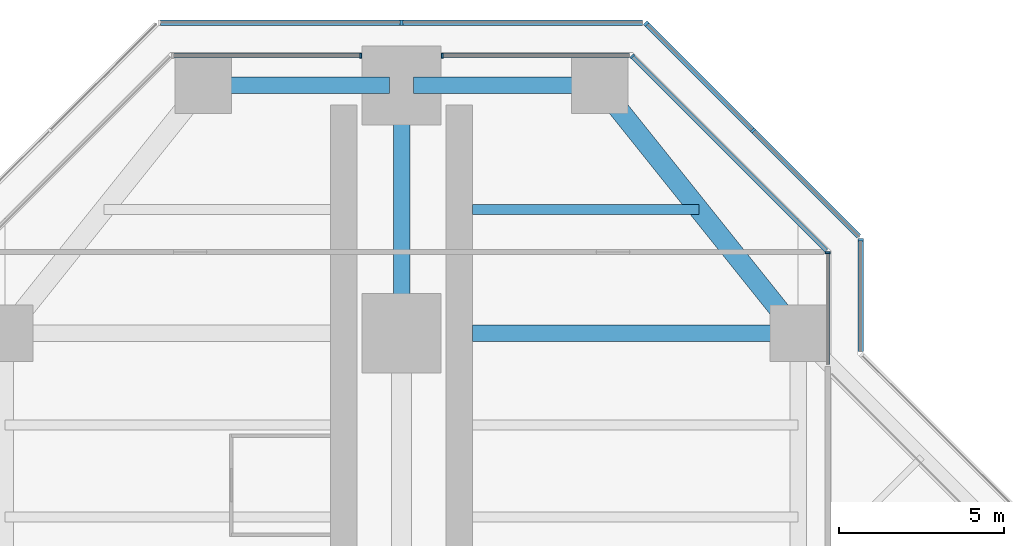
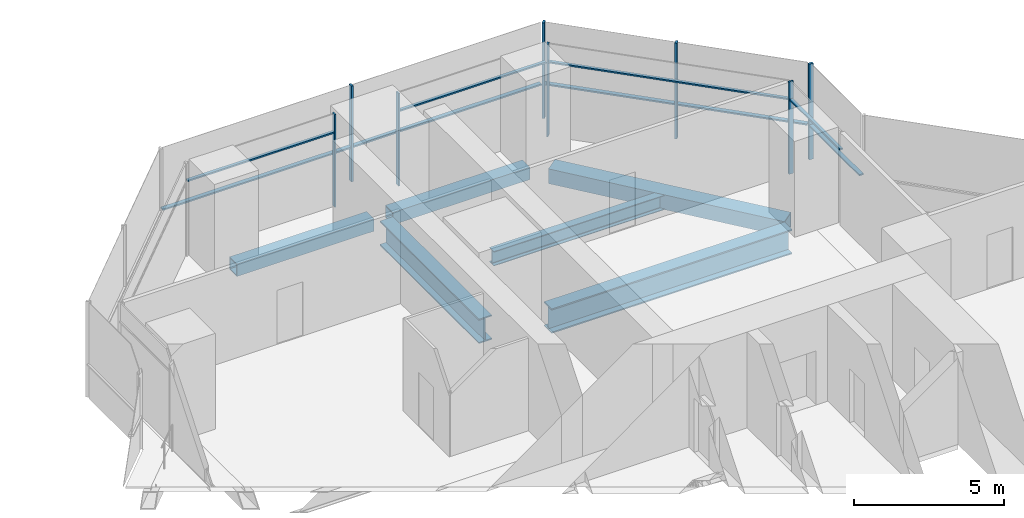
# One storey, part 10 of 19: 17 members, 6 beams, 7 elements without a shape of their own.
"""IFC4 building model written with IfcOpenShell, lengths in metres."""

from ifc_helpers import new_model, si_unit, direction, frame, origin, origin_2d, place, context, subcontext, project, spatial, rectangle, hollow_rectangle, i_section, extrude, material, material_profile, profile_set, type_object, element, aggregate, save


model = new_model("IFC4")

# Units and contexts
model_context = context("Model", 3, precision=1e-05, world=origin(), true_north=direction((0.0, 1.0)))
body_context = subcontext(model_context, "Body", "Model", "MODEL_VIEW")
ifc_project = project(units=[si_unit("LENGTHUNIT", "METRE"), si_unit("AREAUNIT", "SQUARE_METRE"), si_unit("VOLUMEUNIT", "CUBIC_METRE"), si_unit("PLANEANGLEUNIT", "RADIAN"), si_unit("MASSUNIT", "GRAM", prefix="KILO")], contexts=[model_context])

# Site, building, storey
site_placement = place(None, origin())
site = spatial("IfcSite", under=ifc_project, at=site_placement, CompositionType="ELEMENT")
building_placement = place(site_placement, origin())
building = spatial("IfcBuilding", under=site, at=building_placement, Name="Mizan Broadcast Tower", CompositionType="ELEMENT")
storey_placement = place(building_placement, frame((0.0, 0.0, 163.199951171875)))
storey = spatial("IfcBuildingStorey", under=building, at=storey_placement, Name="L37", CompositionType="ELEMENT", Elevation=163.199951171875)

# Beams
ifc_material_1 = material(Name="Steel S355", Category="steel")
ifc_material_profile_1 = material_profile(ifc_material_1, hollow_rectangle(XDim=0.5, YDim=0.5, WallThickness=0.030029296875, at=origin_2d()), Name="BOX 500x500x30")
ifc_profile_set_1 = profile_set([ifc_material_profile_1], Name="Steel S355")
beam_type_1 = type_object("IfcBeamType", Name="EDGE BEAM BOX 500x500x30", PredefinedType="SPANDREL", material=ifc_profile_set_1)
for number, where, z_axis, x_axis, name in (
    (1, (5.639892578125, 27.0, -0.3798828125), (-1.0, 0.0, 0.0), (0.0, -1.0, 0.0), "Edge beam BOX 500x500x30 L37 north arm"),
    (2, (-5.639892578125, 27.0, -0.3798828125), (1.0, 0.0, 0.0), (0.0, 1.0, 0.0), "Edge beam BOX 500x500x30 L37 north arm"),
):
    element("IfcBeam", number, at=place(storey_placement, frame(where, z_axis=z_axis, x_axis=x_axis)), inside=storey, type_object=beam_type_1, Name=name, PredefinedType="SPANDREL", context=body_context, shape_type="SweptSolid", body=[
        extrude(hollow_rectangle(XDim=0.5, YDim=0.5, WallThickness=0.030029296875, at=origin_2d()), origin(), (0.0, 0.0, 1.0), 5.27978515625),
    ])
ifc_material_2 = material(Name="Steel S355", Category="steel")
ifc_material_profile_2 = material_profile(ifc_material_2, hollow_rectangle(XDim=0.60009765625, YDim=0.60009765625, WallThickness=0.030029296875, at=origin_2d()), Name="BOX 600x600x30")
ifc_profile_set_2 = profile_set([ifc_material_profile_2], Name="Steel S355")
beam_type_2 = type_object("IfcBeamType", Name="EDGE BEAM BOX 600x600x30", PredefinedType="SPANDREL", material=ifc_profile_set_2)
beam_1_placement = place(storey_placement, frame((11.639892578125, 19.949951171875, -0.429931640625), z_axis=(-0.624673911726, 0.780885717636, 0.0), x_axis=(-0.780885717636, -0.624673911726, 0.0)))
element("IfcBeam", 3, at=beam_1_placement, inside=storey, type_object=beam_type_2, Name="Edge beam BOX 600x600x30 L37 north arm", PredefinedType="SPANDREL", context=body_context, shape_type="SweptSolid", body=[
    extrude(hollow_rectangle(XDim=0.60009765625, YDim=0.60009765625, WallThickness=0.030029296875, at=origin_2d()), origin(), (0.0, 0.0, 1.0), 8.4521484375),
])
ifc_material_3 = material(Name="Steel S460", Category="steel")
ifc_material_profile_3 = material_profile(ifc_material_3, i_section(OverallWidth=0.5, OverallDepth=1.0, WebThickness=0.02490234375, FlangeThickness=0.050048828125, at=origin_2d()), Name="WPG 1000x500")
ifc_profile_set_3 = profile_set([ifc_material_profile_3], Name="Steel S460")
beam_type_3 = type_object("IfcBeamType", Name="GIRDER WPG 1000x500", PredefinedType="BEAM", material=ifc_profile_set_3)
beam_2_placement = place(storey_placement, frame((0.0, 19.949951171875, -0.6298828125), z_axis=(0.0, 1.0, 0.0), x_axis=(-1.0, 0.0, 0.0)))
element("IfcBeam", 4, at=beam_2_placement, inside=storey, type_object=beam_type_3, Name="Girder WPG 1000x500 L37 north arm", PredefinedType="BEAM", context=body_context, shape_type="SweptSolid", body=[
    extrude(i_section(OverallWidth=0.5, OverallDepth=1.0, WebThickness=0.02490234375, FlangeThickness=0.050048828125, at=origin_2d()), origin(), (0.0, 0.0, 1.0), 6.60009765625),
])
beam_3_placement = place(storey_placement, frame((11.408935546875, 19.5, -0.6298828125), z_axis=(-1.0, 0.0, 0.0), x_axis=(0.0, -1.0, 0.0)))
element("IfcBeam", 5, at=beam_3_placement, inside=storey, type_object=beam_type_3, Name="Girder WPG 1000x500 L37 north arm", PredefinedType="BEAM", context=body_context, shape_type="SweptSolid", body=[
    extrude(i_section(OverallWidth=0.5, OverallDepth=1.0, WebThickness=0.02490234375, FlangeThickness=0.050048828125, at=origin_2d()), origin(), (0.0, 0.0, 1.0), 9.259033203125),
])

# Curtain wall, member
ifc_material_4 = material(Name="Aluminium framed glazing", Category="aluminium")
curtain_wall_type_1 = type_object("IfcCurtainWallType", Name="INNER SKIN MID ZONE", PredefinedType="USERDEFINED", material=ifc_material_4)
curtain_wall_1_placement = place(storey_placement, origin())
curtain_wall_1 = element("IfcCurtainWall", 6, at=curtain_wall_1_placement, inside=storey, type_object=curtain_wall_type_1, Name="Inner skin mid zone L37 N side", ObjectType="INNER SKIN MID ZONE", PredefinedType="USERDEFINED")
ifc_material_5 = material(Name="Aluminium, pale anodised", Category="aluminium")
ifc_material_profile_4 = material_profile(ifc_material_5, rectangle(XDim=0.159912109375, YDim=0.06005859375, at=origin_2d()), Name="MULLION 160x60")
ifc_profile_set_4 = profile_set([ifc_material_profile_4], Name="Aluminium, pale anodised")
member_type_1 = type_object("IfcMemberType", Name="INNER SKIN MULLION 60x160", PredefinedType="MULLION", material=ifc_profile_set_4)
member_1_placement = place(storey_placement, frame((12.89990234375, 21.928466796875, 0.0), z_axis=(0.0, 0.0, 1.0), x_axis=(-1.0, 0.0, 0.0)))
member_1 = element("IfcMember", 7, at=member_1_placement, type_object=member_type_1, Name="Inner skin mid zone L37 N side mullion 2", PredefinedType="MULLION", context=body_context, shape_type="SweptSolid", body=[
    extrude(rectangle(XDim=0.159912109375, YDim=0.06005859375, at=origin_2d()), origin(), (0.0, 0.0, 1.0), 3.77001953125),
])

curtain_wall_2_placement = place(storey_placement, origin())
curtain_wall_2 = element("IfcCurtainWall", 8, at=curtain_wall_2_placement, inside=storey, type_object=curtain_wall_type_1, Name="Inner skin mid zone L37 N chamfer", ObjectType="INNER SKIN MID ZONE", PredefinedType="USERDEFINED")
member_2_placement = place(storey_placement, frame((6.979736328125, 27.87890625, 0.0), z_axis=(0.0, 0.0, 1.0), x_axis=(-0.707106781187, -0.707106781187, 0.0)))
member_2 = element("IfcMember", 9, at=member_2_placement, type_object=member_type_1, Name="Inner skin mid zone L37 N chamfer mullion 2", PredefinedType="MULLION", context=body_context, shape_type="SweptSolid", body=[
    extrude(rectangle(XDim=0.159912109375, YDim=0.06005859375, at=origin_2d()), origin(), (0.0, 0.0, 1.0), 3.77001953125),
])

curtain_wall_3_placement = place(storey_placement, origin())
curtain_wall_3 = element("IfcCurtainWall", 10, at=curtain_wall_3_placement, inside=storey, type_object=curtain_wall_type_1, Name="Inner skin mid zone L37 N end", ObjectType="INNER SKIN MID ZONE", PredefinedType="USERDEFINED")
member_3_placement = place(storey_placement, frame((1.22998046875, 27.89990234375, 0.0), z_axis=(0.0, 0.0, 1.0), x_axis=(0.0, -1.0, 0.0)))
member_3 = element("IfcMember", 11, at=member_3_placement, type_object=member_type_1, Name="Inner skin mid zone L37 N end mullion 2", PredefinedType="MULLION", context=body_context, shape_type="SweptSolid", body=[
    extrude(rectangle(XDim=0.159912109375, YDim=0.06005859375, at=origin_2d()), origin(), (0.0, 0.0, 1.0), 3.77001953125),
])

curtain_wall_4_placement = place(storey_placement, origin())
curtain_wall_4 = element("IfcCurtainWall", 12, at=curtain_wall_4_placement, inside=storey, type_object=curtain_wall_type_1, Name="Inner skin mid zone L37 N end", ObjectType="INNER SKIN MID ZONE", PredefinedType="USERDEFINED")
member_4_placement = place(storey_placement, frame((-1.22998046875, 27.89990234375, 0.0), z_axis=(0.0, 0.0, 1.0), x_axis=(0.0, -1.0, 0.0)))
member_4 = element("IfcMember", 13, at=member_4_placement, type_object=member_type_1, Name="Inner skin mid zone L37 N end mullion 1", PredefinedType="MULLION", context=body_context, shape_type="SweptSolid", body=[
    extrude(rectangle(XDim=0.159912109375, YDim=0.06005859375, at=origin_2d()), origin(), (0.0, 0.0, 1.0), 3.77001953125),
])

# Member
ifc_material_6 = material(Name="Aluminium, pale anodised", Category="aluminium")
ifc_material_profile_5 = material_profile(ifc_material_6, rectangle(XDim=0.1201171875, YDim=0.06005859375, at=origin_2d()), Name="TRANSOM 120x60")
ifc_profile_set_5 = profile_set([ifc_material_profile_5], Name="Aluminium, pale anodised")
member_type_2 = type_object("IfcMemberType", Name="INNER SKIN TRANSOM 60x120", PredefinedType="USERDEFINED", material=ifc_profile_set_5)
member_5_placement = place(storey_placement, frame((12.89990234375, 18.56005859375, 3.030029296875), z_axis=(0.0, 1.0, 0.0), x_axis=(-1.0, 0.0, 0.0)))
member_5 = element("IfcMember", 14, at=member_5_placement, type_object=member_type_2, Name="Inner skin mid zone L37 N side transom 1.1", ObjectType="TRANSOM", PredefinedType="USERDEFINED", context=body_context, shape_type="SweptSolid", body=[
    extrude(rectangle(XDim=0.1201171875, YDim=0.06005859375, at=origin_2d()), origin(), (0.0, 0.0, 1.0), 3.338623046875),
])

aggregate(curtain_wall_1, [member_1, member_5])

member_6_placement = place(storey_placement, frame((12.857666015625, 22.0009765625, 3.030029296875), z_axis=(-0.707106781187, 0.707106781187, 0.0), x_axis=(-0.707106781187, -0.707106781187, 0.0)))
member_6 = element("IfcMember", 15, at=member_6_placement, type_object=member_type_2, Name="Inner skin mid zone L37 N chamfer transom 1.1", ObjectType="TRANSOM", PredefinedType="USERDEFINED", context=body_context, shape_type="SweptSolid", body=[
    extrude(rectangle(XDim=0.1201171875, YDim=0.06005859375, at=origin_2d()), origin(), (0.0, 0.0, 1.0), 8.28271484375),
])

aggregate(curtain_wall_2, [member_2, member_6])

member_7_placement = place(storey_placement, frame((6.898681640625, 27.89990234375, 3.030029296875), z_axis=(-1.0, 0.0, 0.0), x_axis=(0.0, -1.0, 0.0)))
member_7 = element("IfcMember", 16, at=member_7_placement, type_object=member_type_2, Name="Inner skin mid zone L37 N end transom 1.1", ObjectType="TRANSOM", PredefinedType="USERDEFINED", context=body_context, shape_type="SweptSolid", body=[
    extrude(rectangle(XDim=0.1201171875, YDim=0.06005859375, at=origin_2d()), origin(), (0.0, 0.0, 1.0), 5.638671875),
])

aggregate(curtain_wall_3, [member_3, member_7])

member_8_placement = place(storey_placement, frame((-1.260009765625, 27.89990234375, 3.030029296875), z_axis=(-1.0, 0.0, 0.0), x_axis=(0.0, -1.0, 0.0)))
member_8 = element("IfcMember", 17, at=member_8_placement, type_object=member_type_2, Name="Inner skin mid zone L37 N end transom 1.1", ObjectType="TRANSOM", PredefinedType="USERDEFINED", context=body_context, shape_type="SweptSolid", body=[
    extrude(rectangle(XDim=0.1201171875, YDim=0.06005859375, at=origin_2d()), origin(), (0.0, 0.0, 1.0), 5.638671875),
])

aggregate(curtain_wall_4, [member_4, member_8])

# Curtain wall, member
ifc_material_7 = material(Name="Aluminium framed glazing", Category="aluminium")
curtain_wall_type_2 = type_object("IfcCurtainWallType", Name="OUTER SKIN", PredefinedType="USERDEFINED", material=ifc_material_7)
curtain_wall_5_placement = place(storey_placement, origin())
curtain_wall_5 = element("IfcCurtainWall", 18, at=curtain_wall_5_placement, inside=storey, type_object=curtain_wall_type_2, Name="Outer skin L37 N side", ObjectType="OUTER SKIN", PredefinedType="USERDEFINED")
ifc_material_8 = material(Name="Aluminium, pale anodised", Category="aluminium")
ifc_material_profile_6 = material_profile(ifc_material_8, rectangle(XDim=0.159912109375, YDim=0.080078125, at=origin_2d()), Name="MULLION 160x80")
ifc_profile_set_6 = profile_set([ifc_material_profile_6], Name="Aluminium, pale anodised")
member_type_3 = type_object("IfcMemberType", Name="OUTER SKIN MULLION 80x160", PredefinedType="MULLION", material=ifc_profile_set_6)
member_9_placement = place(storey_placement, frame((13.89990234375, 22.332763671875, 0.0), z_axis=(0.0, 0.0, 1.0), x_axis=(-1.0, 0.0, 0.0)))
member_9 = element("IfcMember", 19, at=member_9_placement, type_object=member_type_3, Name="Outer skin L37 N side mullion 2", PredefinedType="MULLION", context=body_context, shape_type="SweptSolid", body=[
    extrude(rectangle(XDim=0.159912109375, YDim=0.080078125, at=origin_2d()), origin(), (0.0, 0.0, 1.0), 3.900146484375),
])

# Curtain wall, members
curtain_wall_6_placement = place(storey_placement, origin())
curtain_wall_6 = element("IfcCurtainWall", 20, at=curtain_wall_6_placement, inside=storey, type_object=curtain_wall_type_2, Name="Outer skin L37 N chamfer", ObjectType="OUTER SKIN", PredefinedType="USERDEFINED")
member_10_placement = place(storey_placement, frame((10.636474609375, 25.636474609375, 0.0), z_axis=(0.0, 0.0, 1.0), x_axis=(-0.707106781187, -0.707106781187, 0.0)))
member_10 = element("IfcMember", 21, at=member_10_placement, type_object=member_type_3, Name="Outer skin L37 N chamfer mullion 2", PredefinedType="MULLION", context=body_context, shape_type="SweptSolid", body=[
    extrude(rectangle(XDim=0.159912109375, YDim=0.080078125, at=origin_2d()), origin(), (0.0, 0.0, 1.0), 3.900146484375),
])
member_11_placement = place(storey_placement, frame((7.401123046875, 28.871826171875, 0.0), z_axis=(0.0, 0.0, 1.0), x_axis=(-0.707106781187, -0.707106781187, 0.0)))
member_11 = element("IfcMember", 22, at=member_11_placement, type_object=member_type_3, Name="Outer skin L37 N chamfer mullion 3", PredefinedType="MULLION", context=body_context, shape_type="SweptSolid", body=[
    extrude(rectangle(XDim=0.159912109375, YDim=0.080078125, at=origin_2d()), origin(), (0.0, 0.0, 1.0), 3.900146484375),
])

# Curtain wall, member
curtain_wall_7_placement = place(storey_placement, origin())
curtain_wall_7 = element("IfcCurtainWall", 23, at=curtain_wall_7_placement, inside=storey, type_object=curtain_wall_type_2, Name="Outer skin L37 N end", ObjectType="OUTER SKIN", PredefinedType="USERDEFINED")
member_12_placement = place(storey_placement, frame((0.0, 28.89990234375, 0.0), z_axis=(0.0, 0.0, 1.0), x_axis=(0.0, -1.0, 0.0)))
member_12 = element("IfcMember", 24, at=member_12_placement, type_object=member_type_3, Name="Outer skin L37 N end mullion 2", PredefinedType="MULLION", context=body_context, shape_type="SweptSolid", body=[
    extrude(rectangle(XDim=0.159912109375, YDim=0.080078125, at=origin_2d()), origin(), (0.0, 0.0, 1.0), 3.900146484375),
])

# Member
ifc_material_9 = material(Name="Aluminium, pale anodised", Category="aluminium")
ifc_material_profile_7 = material_profile(ifc_material_9, rectangle(XDim=0.159912109375, YDim=0.06005859375, at=origin_2d()), Name="TRANSOM 160x60")
ifc_profile_set_7 = profile_set([ifc_material_profile_7], Name="Aluminium, pale anodised")
member_type_4 = type_object("IfcMemberType", Name="OUTER SKIN TRANSOM 60x160", PredefinedType="USERDEFINED", material=ifc_profile_set_7)
member_13_placement = place(storey_placement, frame((13.89990234375, 18.952880859375, 1.400146484375), z_axis=(0.0, 1.0, 0.0), x_axis=(-1.0, 0.0, 0.0)))
member_13 = element("IfcMember", 25, at=member_13_placement, type_object=member_type_4, Name="Outer skin L37 N side transom 1.1", ObjectType="TRANSOM", PredefinedType="USERDEFINED", context=body_context, shape_type="SweptSolid", body=[
    extrude(rectangle(XDim=0.159912109375, YDim=0.06005859375, at=origin_2d()), origin(), (0.0, 0.0, 1.0), 3.33984375),
])

aggregate(curtain_wall_5, [member_9, member_13])

member_14_placement = place(storey_placement, frame((13.843505859375, 22.429443359375, 1.400146484375), z_axis=(-0.707106781187, 0.707106781187, 0.0), x_axis=(-0.707106781187, -0.707106781187, 0.0)))
member_14 = element("IfcMember", 26, at=member_14_placement, type_object=member_type_4, Name="Outer skin L37 N chamfer transom 1.1", ObjectType="TRANSOM", PredefinedType="USERDEFINED", context=body_context, shape_type="SweptSolid", body=[
    extrude(rectangle(XDim=0.159912109375, YDim=0.06005859375, at=origin_2d()), origin(), (0.0, 0.0, 1.0), 4.495361328125),
])

member_15_placement = place(storey_placement, frame((10.608154296875, 25.664794921875, 1.400146484375), z_axis=(-0.707106781187, 0.707106781187, 0.0), x_axis=(-0.707106781187, -0.707106781187, 0.0)))
member_15 = element("IfcMember", 27, at=member_15_placement, type_object=member_type_4, Name="Outer skin L37 N chamfer transom 2.1", ObjectType="TRANSOM", PredefinedType="USERDEFINED", context=body_context, shape_type="SweptSolid", body=[
    extrude(rectangle(XDim=0.159912109375, YDim=0.06005859375, at=origin_2d()), origin(), (0.0, 0.0, 1.0), 4.495361328125),
])

aggregate(curtain_wall_6, [member_10, member_11, member_14, member_15])

member_16_placement = place(storey_placement, frame((7.292724609375, 28.89990234375, 1.400146484375), z_axis=(-1.0, 0.0, 0.0), x_axis=(0.0, -1.0, 0.0)))
member_16 = element("IfcMember", 28, at=member_16_placement, type_object=member_type_4, Name="Outer skin L37 N end transom 1.1", ObjectType="TRANSOM", PredefinedType="USERDEFINED", context=body_context, shape_type="SweptSolid", body=[
    extrude(rectangle(XDim=0.159912109375, YDim=0.06005859375, at=origin_2d()), origin(), (0.0, 0.0, 1.0), 7.252685546875),
])

member_17_placement = place(storey_placement, frame((-0.0400390625, 28.89990234375, 1.400146484375), z_axis=(-1.0, 0.0, 0.0), x_axis=(0.0, -1.0, 0.0)))
member_17 = element("IfcMember", 29, at=member_17_placement, type_object=member_type_4, Name="Outer skin L37 N end transom 2.1", ObjectType="TRANSOM", PredefinedType="USERDEFINED", context=body_context, shape_type="SweptSolid", body=[
    extrude(rectangle(XDim=0.159912109375, YDim=0.06005859375, at=origin_2d()), origin(), (0.0, 0.0, 1.0), 7.252685546875),
])

aggregate(curtain_wall_7, [member_12, member_16, member_17])

# Beam
ifc_material_10 = material(Name="Steel S355", Category="steel")
ifc_material_profile_8 = material_profile(ifc_material_10, i_section(OverallWidth=0.300048828125, OverallDepth=0.590087890625, WebThickness=0.012939453125, FlangeThickness=0.02490234375, FilletRadius=0.027099609375, at=origin_2d()), Name="HEA 600")
ifc_profile_set_8 = profile_set([ifc_material_profile_8], Name="Steel S355")
beam_type_4 = type_object("IfcBeamType", Name="SECONDARY BEAM HEA 600", PredefinedType="JOIST", material=ifc_profile_set_8)
beam_4_placement = place(storey_placement, frame((9.0, 23.25, -0.425048828125), z_axis=(-1.0, 0.0, 0.0), x_axis=(0.0, -1.0, 0.0)))
element("IfcBeam", 30, at=beam_4_placement, inside=storey, type_object=beam_type_4, Name="Secondary beam HEA 600 L37 north arm", PredefinedType="JOIST", context=body_context, shape_type="SweptSolid", body=[
    extrude(i_section(OverallWidth=0.300048828125, OverallDepth=0.590087890625, WebThickness=0.012939453125, FlangeThickness=0.02490234375, FilletRadius=0.027099609375, at=origin_2d()), origin(), (0.0, 0.0, 1.0), 6.85009765625),
])

save(model, "model.ifc")
